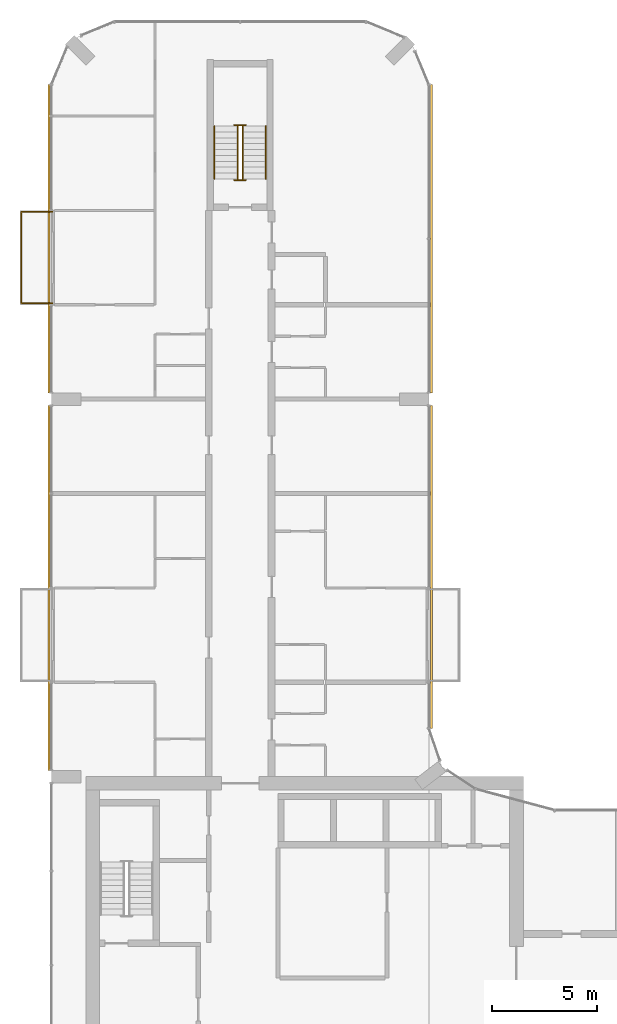
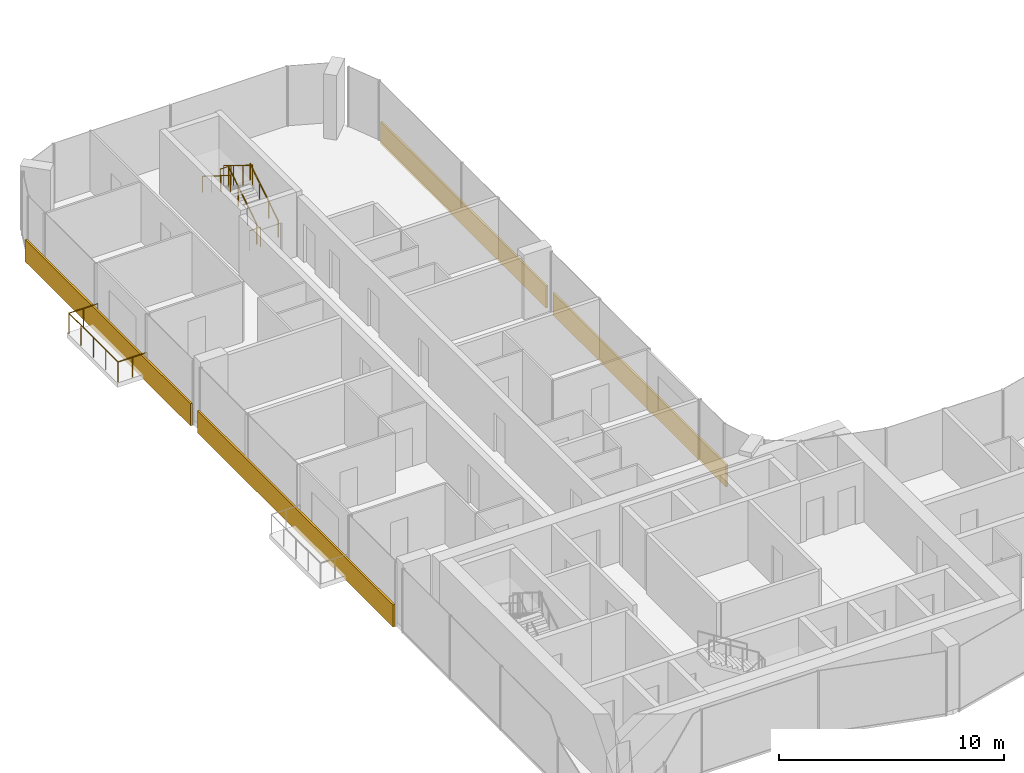
# One storey, part 21 of 22: 7 railings, 4 coverings.
"""IFC4 building model written with IfcOpenShell, lengths in metres."""

from ifc_helpers import new_model, si_unit, direction, frame, origin, origin_2d, place, context, subcontext, project, spatial, rectangle, circle, extrude, material, layer, layer_set, type_object, element, save


model = new_model("IFC4")

# Units and contexts
model_context = context("Model", 3, precision=1e-05, world=origin(), true_north=direction((0.0, 1.0)))
body_context = subcontext(model_context, "Body", "Model", "MODEL_VIEW")
ifc_project = project(units=[si_unit("LENGTHUNIT", "METRE"), si_unit("AREAUNIT", "SQUARE_METRE"), si_unit("VOLUMEUNIT", "CUBIC_METRE"), si_unit("PLANEANGLEUNIT", "RADIAN"), si_unit("MASSUNIT", "GRAM", prefix="KILO")], contexts=[model_context])

# Site, building, storey
site_placement = place(None, origin())
site = spatial("IfcSite", under=ifc_project, at=site_placement, CompositionType="ELEMENT")
building_placement = place(site_placement, origin())
building = spatial("IfcBuilding", under=site, at=building_placement, Name="Plateau Cross Towers", CompositionType="ELEMENT")
storey_placement = place(building_placement, frame((0.0, 0.0, 113.300048828125)))
storey = spatial("IfcBuildingStorey", under=building, at=storey_placement, Name="L29", CompositionType="ELEMENT", Elevation=113.300048828125)

# Railings
ifc_material_1 = material(Name="Stainless steel and toughened glass", Category="steel")
railing_type_1 = type_object("IfcRailingType", Name="Glass balustrade guard 1100", PredefinedType="GUARDRAIL", material=ifc_material_1)
railing_1_placement = place(storey_placement, frame((0.050048828125, 40.570068359375, 0.0)))
element("IfcRailing", 1, at=railing_1_placement, inside=storey, type_object=railing_type_1, Name="Guard guard1", PredefinedType="GUARDRAIL", context=body_context, shape_type="SweptSolid", body=[
    extrude(circle(Radius=0.02392578125, at=origin_2d()), frame((0.0, 0.0, 1.076171875), z_axis=(-1.0, 0.0, 0.0), x_axis=(0.0, -1.0, 0.0)), (0.0, 0.0, 1.0), 1.47998046875),
    extrude(circle(Radius=0.02392578125, at=origin_2d()), frame((-1.47998046875, 0.0, 1.076171875), z_axis=(0.0, 1.0, 0.0), x_axis=(-1.0, 0.0, 0.0)), (0.0, 0.0, 1.0), 4.35986328125),
    extrude(circle(Radius=0.02392578125, at=origin_2d()), frame((-1.47998046875, 4.35986328125, 1.076171875), z_axis=(1.0, 0.0, 0.0), x_axis=(0.0, 1.0, 0.0)), (0.0, 0.0, 1.0), 1.47998046875),
    extrude(circle(Radius=0.02099609375, at=origin_2d()), origin(), (0.0, 0.0, 1.0), 1.052001953125),
    extrude(circle(Radius=0.02099609375, at=origin_2d()), frame((-0.739990234375, 0.0, 0.0)), (0.0, 0.0, 1.0), 1.052001953125),
    extrude(circle(Radius=0.02099609375, at=origin_2d()), frame((-1.47998046875, 0.0, 0.0)), (0.0, 0.0, 1.0), 1.052001953125),
    extrude(circle(Radius=0.02099609375, at=origin_2d()), frame((-1.47998046875, 1.08984375, 0.0)), (0.0, 0.0, 1.0), 1.052001953125),
    extrude(circle(Radius=0.02099609375, at=origin_2d()), frame((-1.47998046875, 2.179931640625, 0.0)), (0.0, 0.0, 1.0), 1.052001953125),
    extrude(circle(Radius=0.02099609375, at=origin_2d()), frame((-1.47998046875, 3.27001953125, 0.0)), (0.0, 0.0, 1.0), 1.052001953125),
    extrude(circle(Radius=0.02099609375, at=origin_2d()), frame((-1.47998046875, 4.35986328125, 0.0)), (0.0, 0.0, 1.0), 1.052001953125),
    extrude(circle(Radius=0.02099609375, at=origin_2d()), frame((-0.739990234375, 4.35986328125, 0.0)), (0.0, 0.0, 1.0), 1.052001953125),
    extrude(circle(Radius=0.02099609375, at=origin_2d()), frame((0.0, 4.35986328125, 0.0)), (0.0, 0.0, 1.0), 1.052001953125),
])
railing_type_2 = type_object("IfcRailingType", Name="RL-GUARD-1100", PredefinedType="GUARDRAIL", material=ifc_material_1)
railing_2_placement = place(storey_placement, frame((9.125, 46.5, 0.175048828125)))
element("IfcRailing", 2, at=railing_2_placement, inside=storey, type_object=railing_type_2, Name="L29 ES-N stair guard 1", PredefinedType="GUARDRAIL", context=body_context, shape_type="SweptSolid", body=[
    extrude(circle(Radius=0.02392578125, at=origin_2d()), frame((0.0, 0.0, 1.076171875), z_axis=(0.0, 0.848007534815, 0.529984170421), x_axis=(-1.0, 0.0, 0.0)), (0.0, 0.0, 1.0), 2.9716796875),
    extrude(circle(Radius=0.02099609375, at=origin_2d()), origin(), (0.0, 0.0, 1.0), 1.052001953125),
    extrude(circle(Radius=0.02099609375, at=origin_2d()), frame((0.0, 0.840087890625, 0.52490234375)), (0.0, 0.0, 1.0), 1.052001953125),
    extrude(circle(Radius=0.02099609375, at=origin_2d()), frame((0.0, 1.679931640625, 1.050048828125)), (0.0, 0.0, 1.0), 1.052001953125),
    extrude(circle(Radius=0.02099609375, at=origin_2d()), frame((0.0, 2.52001953125, 1.574951171875)), (0.0, 0.0, 1.0), 1.052001953125),
])
railing_3_placement = place(storey_placement, frame((9.27490234375, 49.070068359375, 1.75)))
element("IfcRailing", 3, at=railing_3_placement, inside=storey, type_object=railing_type_2, Name="L29 ES-N stair guard 2", PredefinedType="GUARDRAIL", context=body_context, shape_type="SweptSolid", body=[
    extrude(circle(Radius=0.02392578125, at=origin_2d()), frame((0.0, 0.0, 1.076171875), z_axis=(-1.0, 0.0, 0.0), x_axis=(0.0, -1.0, 0.0)), (0.0, 0.0, 1.0), 0.5498046875),
    extrude(circle(Radius=0.02099609375, at=origin_2d()), origin(), (0.0, 0.0, 1.0), 1.052001953125),
    extrude(circle(Radius=0.02099609375, at=origin_2d()), frame((-0.5498046875, 0.0, 0.0)), (0.0, 0.0, 1.0), 1.052001953125),
])
railing_4_placement = place(storey_placement, frame((8.875, 49.02001953125, 1.925048828125)))
element("IfcRailing", 4, at=railing_4_placement, inside=storey, type_object=railing_type_2, Name="L29 ES-N stair guard 3", PredefinedType="GUARDRAIL", context=body_context, shape_type="SweptSolid", body=[
    extrude(circle(Radius=0.02392578125, at=origin_2d()), frame((0.0, 0.0, 1.076171875), z_axis=(0.0, -0.852638500773, 0.522501279423), x_axis=(1.0, 0.0, 0.0)), (0.0, 0.0, 1.0), 3.01416015625),
    extrude(circle(Radius=0.02099609375, at=origin_2d()), origin(), (0.0, 0.0, 1.0), 1.052001953125),
    extrude(circle(Radius=0.02099609375, at=origin_2d()), frame((0.0, -0.856689453125, 0.52490234375)), (0.0, 0.0, 1.0), 1.052001953125),
    extrude(circle(Radius=0.02099609375, at=origin_2d()), frame((0.0, -1.71337890625, 1.050048828125)), (0.0, 0.0, 1.0), 1.052001953125),
    extrude(circle(Radius=0.02099609375, at=origin_2d()), frame((0.0, -2.570068359375, 1.574951171875)), (0.0, 0.0, 1.0), 1.052001953125),
])
railing_5_placement = place(storey_placement, frame((9.27490234375, 46.449951171875, 0.0)))
element("IfcRailing", 5, at=railing_5_placement, inside=storey, type_object=railing_type_2, Name="L29 ES-N stair guard 4", PredefinedType="GUARDRAIL", context=body_context, shape_type="SweptSolid", body=[
    extrude(circle(Radius=0.02392578125, at=origin_2d()), frame((0.0, 0.0, 1.076171875), z_axis=(-1.0, 0.0, 0.0), x_axis=(0.0, -1.0, 0.0)), (0.0, 0.0, 1.0), 0.5498046875),
    extrude(circle(Radius=0.02099609375, at=origin_2d()), origin(), (0.0, 0.0, 1.0), 1.052001953125),
    extrude(circle(Radius=0.02099609375, at=origin_2d()), frame((-0.5498046875, 0.0, 0.0)), (0.0, 0.0, 1.0), 1.052001953125),
])
ifc_material_2 = material(Name="Black anodised aluminium", Category="aluminium")
railing_type_3 = type_object("IfcRailingType", Name="RL-HANDRAIL-900", PredefinedType="HANDRAIL", material=ifc_material_2)
railing_6_placement = place(storey_placement, frame((10.22509765625, 46.5, 0.175048828125)))
element("IfcRailing", 6, at=railing_6_placement, inside=storey, type_object=railing_type_3, Name="L29 ES-N stair handrail 1", PredefinedType="HANDRAIL", context=body_context, shape_type="SweptSolid", body=[
    extrude(circle(Radius=0.02392578125, at=origin_2d()), frame((0.0, 0.0, 0.8759765625), z_axis=(0.0, 0.848007534815, 0.529984170421), x_axis=(-1.0, 0.0, 0.0)), (0.0, 0.0, 1.0), 2.9716796875),
    extrude(circle(Radius=0.02099609375, at=origin_2d()), origin(), (0.0, 0.0, 1.0), 0.851806640625),
    extrude(circle(Radius=0.02099609375, at=origin_2d()), frame((0.0, 0.840087890625, 0.52490234375)), (0.0, 0.0, 1.0), 0.851806640625),
    extrude(circle(Radius=0.02099609375, at=origin_2d()), frame((0.0, 1.679931640625, 1.050048828125)), (0.0, 0.0, 1.0), 0.851806640625),
    extrude(circle(Radius=0.02099609375, at=origin_2d()), frame((0.0, 2.52001953125, 1.574951171875)), (0.0, 0.0, 1.0), 0.851806640625),
])
railing_7_placement = place(storey_placement, frame((7.77490234375, 49.02001953125, 1.925048828125)))
element("IfcRailing", 7, at=railing_7_placement, inside=storey, type_object=railing_type_3, Name="L29 ES-N stair handrail 2", PredefinedType="HANDRAIL", context=body_context, shape_type="SweptSolid", body=[
    extrude(circle(Radius=0.02392578125, at=origin_2d()), frame((0.0, 0.0, 0.8759765625), z_axis=(0.0, -0.848007534815, 0.529984170421), x_axis=(1.0, 0.0, 0.0)), (0.0, 0.0, 1.0), 2.9716796875),
    extrude(circle(Radius=0.02099609375, at=origin_2d()), origin(), (0.0, 0.0, 1.0), 0.851806640625),
    extrude(circle(Radius=0.02099609375, at=origin_2d()), frame((0.0, -0.840087890625, 0.52490234375)), (0.0, 0.0, 1.0), 0.851806640625),
    extrude(circle(Radius=0.02099609375, at=origin_2d()), frame((0.0, -1.679931640625, 1.050048828125)), (0.0, 0.0, 1.0), 0.851806640625),
    extrude(circle(Radius=0.02099609375, at=origin_2d()), frame((0.0, -2.52001953125, 1.574951171875)), (0.0, 0.0, 1.0), 0.851806640625),
])

# Coverings
ifc_material_3 = material(Name="Precast concrete cladding C40/50", Category="concrete")
ifc_layer = layer(ifc_material_3, 0.10009765625)
ifc_layer_set = layer_set([ifc_layer], Name="Precast concrete cladding C40/50")
covering_type = type_object("IfcCoveringType", Name="Spandrel band cladding 100x1200", PredefinedType="CLADDING", material=ifc_layer_set)
covering_1_placement = place(storey_placement, frame((18.1201171875, 28.001220703125, -0.25), z_axis=(0.0, 0.0, 1.0), x_axis=(0.0, 1.0, 0.0)))
element("IfcCovering", 8, at=covering_1_placement, inside=storey, type_object=covering_type, Name="Spandrel band", PredefinedType="CLADDING", context=body_context, shape_type="SweptSolid", body=[
    extrude(rectangle(XDim=15.397705078125, YDim=0.10009765625, at=origin_2d()), origin(), (0.0, 0.0, 1.0), 1.199951171875),
])
for number, where, z_axis, x_axis, name in (
    (9, (18.1201171875, 43.64990234375, -0.25), (0.0, 0.0, 1.0), (0.0, 1.0, 0.0), "Spandrel band"),
    (10, (-0.1201171875, 43.64990234375, -0.25), (0.0, 0.0, 1.0), (0.0, -1.0, 0.0), "Spandrel band"),
):
    element("IfcCovering", number, at=place(storey_placement, frame(where, z_axis=z_axis, x_axis=x_axis)), inside=storey, type_object=covering_type, Name=name, PredefinedType="CLADDING", context=body_context, shape_type="SweptSolid", body=[
        extrude(rectangle(XDim=14.699951171875, YDim=0.10009765625, at=origin_2d()), origin(), (0.0, 0.0, 1.0), 1.199951171875),
    ])
covering_2_placement = place(storey_placement, frame((-0.1201171875, 27.0, -0.25), z_axis=(0.0, 0.0, 1.0), x_axis=(0.0, -1.0, 0.0)))
element("IfcCovering", 11, at=covering_2_placement, inside=storey, type_object=covering_type, Name="Spandrel band", PredefinedType="CLADDING", context=body_context, shape_type="SweptSolid", body=[
    extrude(rectangle(XDim=17.39990234375, YDim=0.10009765625, at=origin_2d()), origin(), (0.0, 0.0, 1.0), 1.199951171875),
])

save(model, "model.ifc")
